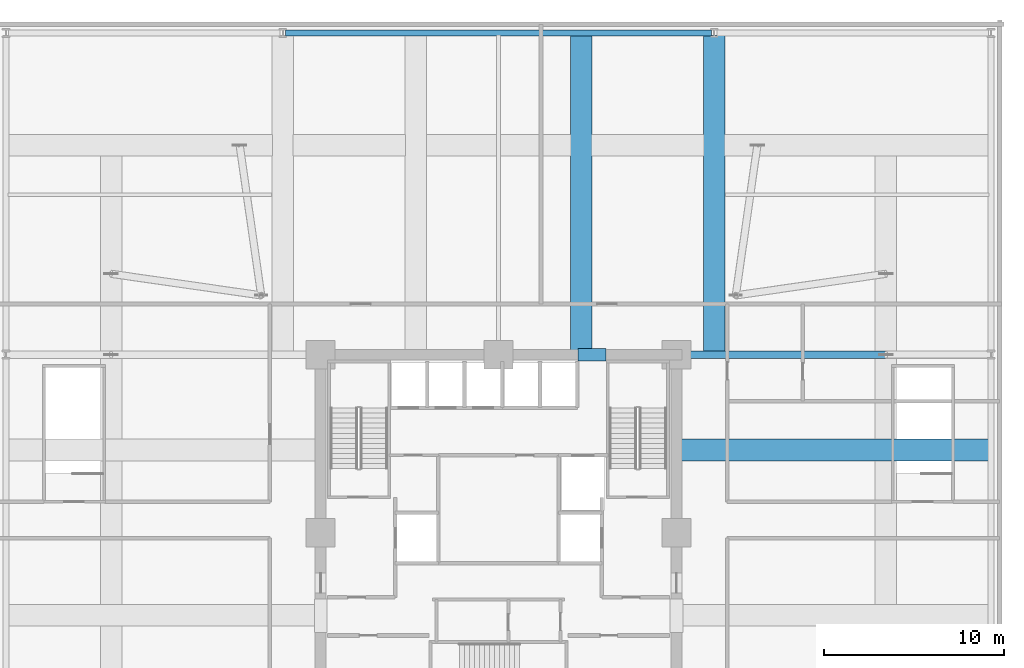
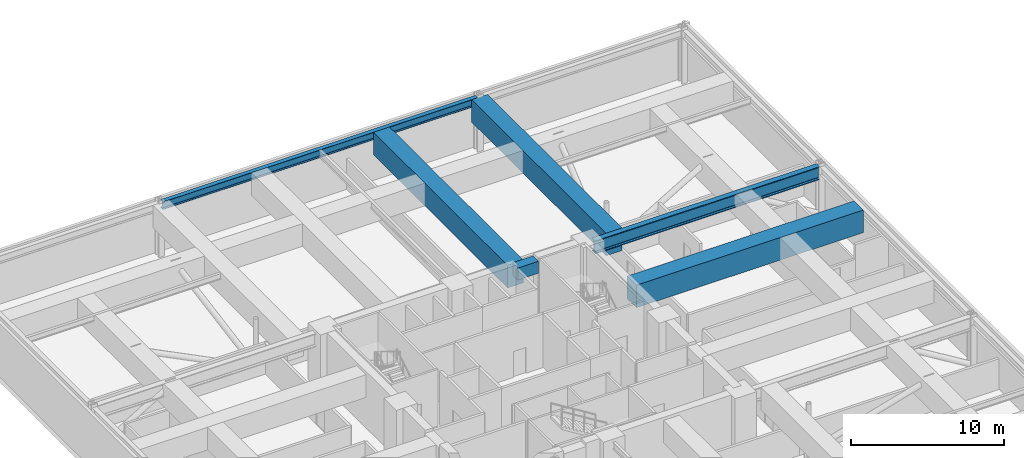
# One storey, part 7 of 16: 6 beams.
"""IFC4 building model written with IfcOpenShell, lengths in metres."""

from ifc_helpers import new_model, si_unit, direction, frame, origin, origin_2d, place, context, subcontext, project, spatial, rectangle, i_section, extrude, material, material_profile, profile_set, type_object, element, save


model = new_model("IFC4")

# Units and contexts
model_context = context("Model", 3, precision=1e-05, world=origin(), true_north=direction((0.0, 1.0)))
body_context = subcontext(model_context, "Body", "Model", "MODEL_VIEW")
ifc_project = project(units=[si_unit("LENGTHUNIT", "METRE"), si_unit("AREAUNIT", "SQUARE_METRE"), si_unit("VOLUMEUNIT", "CUBIC_METRE"), si_unit("PLANEANGLEUNIT", "RADIAN"), si_unit("MASSUNIT", "GRAM", prefix="KILO")], contexts=[model_context])

# Site, building, storey
site_placement = place(None, origin())
site = spatial("IfcSite", under=ifc_project, at=site_placement, CompositionType="ELEMENT")
building_placement = place(site_placement, origin())
building = spatial("IfcBuilding", under=site, at=building_placement, Name="Kolvaren Belvedere", CompositionType="ELEMENT")
storey_placement = place(building_placement, frame((0.0, 0.0, 19.300048828125)))
storey = spatial("IfcBuildingStorey", under=building, at=storey_placement, Name="L05", CompositionType="ELEMENT", Elevation=19.300048828125)

# Beams
ifc_material_1 = material(Name="Concrete C60/75", Category="concrete")
ifc_material_profile_1 = material_profile(ifc_material_1, rectangle(XDim=0.699951171875, YDim=0.949951171875, at=origin_2d()), Name="RC 700X950")
ifc_profile_set_1 = profile_set([ifc_material_profile_1], Name="Concrete C60/75")
beam_type_1 = type_object("IfcBeamType", Name="BM-LINT-950", PredefinedType="LINTEL", material=ifc_profile_set_1)
beam_1_placement = place(storey_placement, frame((4.419921875, 9.89990234375, 3.784912109375), z_axis=(1.0, 0.0, 0.0), x_axis=(0.0, 1.0, 0.0)))
element("IfcBeam", 1, at=beam_1_placement, inside=storey, type_object=beam_type_1, Name="L05 North Core Coupling Lintel", PredefinedType="LINTEL", context=body_context, shape_type="SweptSolid", body=[
    extrude(rectangle(XDim=0.699951171875, YDim=0.949951171875, at=origin_2d()), origin(), (0.0, 0.0, 1.0), 1.56005859375),
])
ifc_material_2 = material(Name="Structural steel ASTM A992 Grade 50", Category="steel")
ifc_material_profile_2 = material_profile(ifc_material_2, i_section(OverallWidth=0.324951171875, OverallDepth=0.615966796875, WebThickness=0.013916015625, FlangeThickness=0.021484375, FilletRadius=0.02001953125, at=origin_2d()), Name="W24X117")
ifc_profile_set_2 = profile_set([ifc_material_profile_2], Name="Structural steel ASTM A992 Grade 50")
beam_type_2 = type_object("IfcBeamType", Name="BM-SPAN-W24X117", PredefinedType="SPANDREL", material=ifc_profile_set_2)
beam_2_placement = place(storey_placement, frame((-11.85009765625, 27.800048828125, 3.951904296875), z_axis=(1.0, 0.0, 0.0), x_axis=(0.0, 1.0, 0.0)))
element("IfcBeam", 2, at=beam_2_placement, inside=storey, type_object=beam_type_2, Name="L05 North Podium Spandrel 2", PredefinedType="SPANDREL", context=body_context, shape_type="SweptSolid", body=[
    extrude(i_section(OverallWidth=0.324951171875, OverallDepth=0.615966796875, WebThickness=0.013916015625, FlangeThickness=0.021484375, FilletRadius=0.02001953125, at=origin_2d()), origin(), (0.0, 0.0, 1.0), 23.7001953125),
])
ifc_material_3 = material(Name="Concrete C50/60", Category="concrete")
ifc_material_profile_3 = material_profile(ifc_material_3, rectangle(XDim=1.199951171875, YDim=1.800048828125, at=origin_2d()), Name="RC 1200X1800")
ifc_profile_set_3 = profile_set([ifc_material_profile_3], Name="Concrete C50/60")
beam_type_3 = type_object("IfcBeamType", Name="BM-TG-1800", PredefinedType="BEAM", material=ifc_profile_set_3)
beam_3_placement = place(storey_placement, frame((4.60009765625, 10.14990234375, 3.35986328125), z_axis=(0.0, 1.0, 0.0), x_axis=(-1.0, 0.0, 0.0)))
element("IfcBeam", 3, at=beam_3_placement, inside=storey, type_object=beam_type_3, Name="L05 North Primary Transfer Girder P46", PredefinedType="BEAM", context=body_context, shape_type="SweptSolid", body=[
    extrude(rectangle(XDim=1.199951171875, YDim=1.800048828125, at=origin_2d()), origin(), (0.0, 0.0, 1.0), 17.5),
])
beam_4_placement = place(storey_placement, frame((10.14990234375, 4.60009765625, 3.35986328125), z_axis=(1.0, 0.0, 0.0), x_axis=(0.0, 1.0, 0.0)))
element("IfcBeam", 4, at=beam_4_placement, inside=storey, type_object=beam_type_3, Name="L05 East Primary Transfer Girder P46", PredefinedType="BEAM", context=body_context, shape_type="SweptSolid", body=[
    extrude(rectangle(XDim=1.199951171875, YDim=1.800048828125, at=origin_2d()), origin(), (0.0, 0.0, 1.0), 17.10009765625),
])
beam_5_placement = place(storey_placement, frame((12.0, 10.10009765625, 3.35986328125), z_axis=(0.0, 1.0, 0.0), x_axis=(-1.0, 0.0, 0.0)))
element("IfcBeam", 5, at=beam_5_placement, inside=storey, type_object=beam_type_3, Name="L05 North Secondary Transfer Girder P12", PredefinedType="BEAM", context=body_context, shape_type="SweptSolid", body=[
    extrude(rectangle(XDim=1.199951171875, YDim=1.800048828125, at=origin_2d()), origin(), (0.0, 0.0, 1.0), 17.5498046875),
])
ifc_material_4 = material(Name="Structural steel ASTM A992 Grade 50", Category="steel")
ifc_material_profile_4 = material_profile(ifc_material_4, i_section(OverallWidth=0.408935546875, OverallDepth=1.0400390625, WebThickness=0.031005859375, FlangeThickness=0.055908203125, FilletRadius=0.030029296875, at=origin_2d()), Name="W40X397")
ifc_profile_set_4 = profile_set([ifc_material_profile_4], Name="Structural steel ASTM A992 Grade 50")
beam_type_4 = type_object("IfcBeamType", Name="BM-TRUSS-W40X397", PredefinedType="BEAM", material=ifc_profile_set_4)
beam_6_placement = place(storey_placement, frame((10.35009765625, 9.89990234375, 3.739990234375), z_axis=(1.0, 0.0, 0.0), x_axis=(0.0, 1.0, 0.0)))
element("IfcBeam", 6, at=beam_6_placement, inside=storey, type_object=beam_type_4, Name="L05 East Interior Girder N", PredefinedType="BEAM", context=body_context, shape_type="SweptSolid", body=[
    extrude(i_section(OverallWidth=0.408935546875, OverallDepth=1.0400390625, WebThickness=0.031005859375, FlangeThickness=0.055908203125, FilletRadius=0.030029296875, at=origin_2d()), origin(), (0.0, 0.0, 1.0), 16.89990234375),
])

save(model, "model.ifc")
